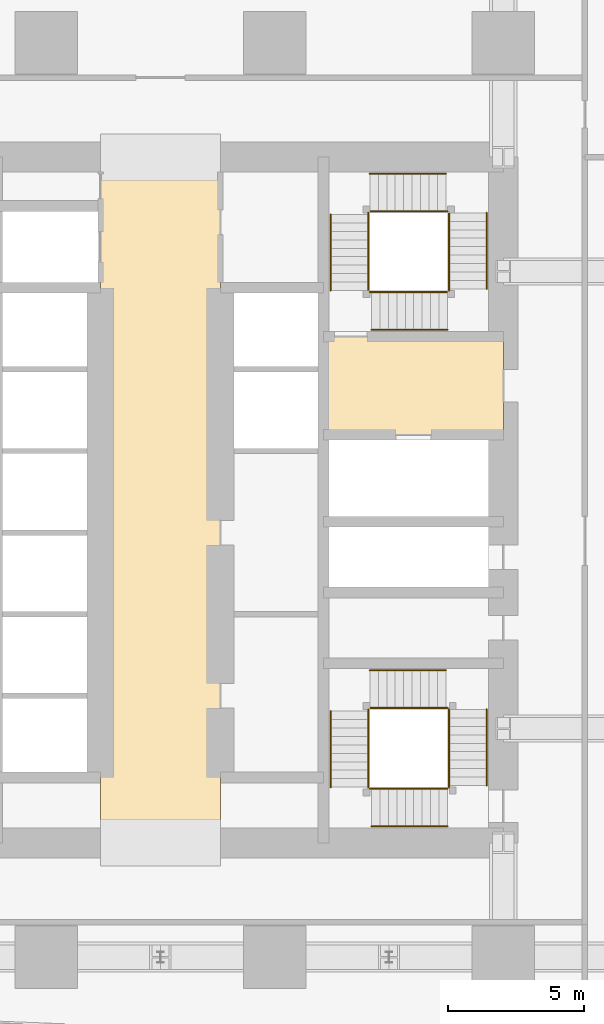
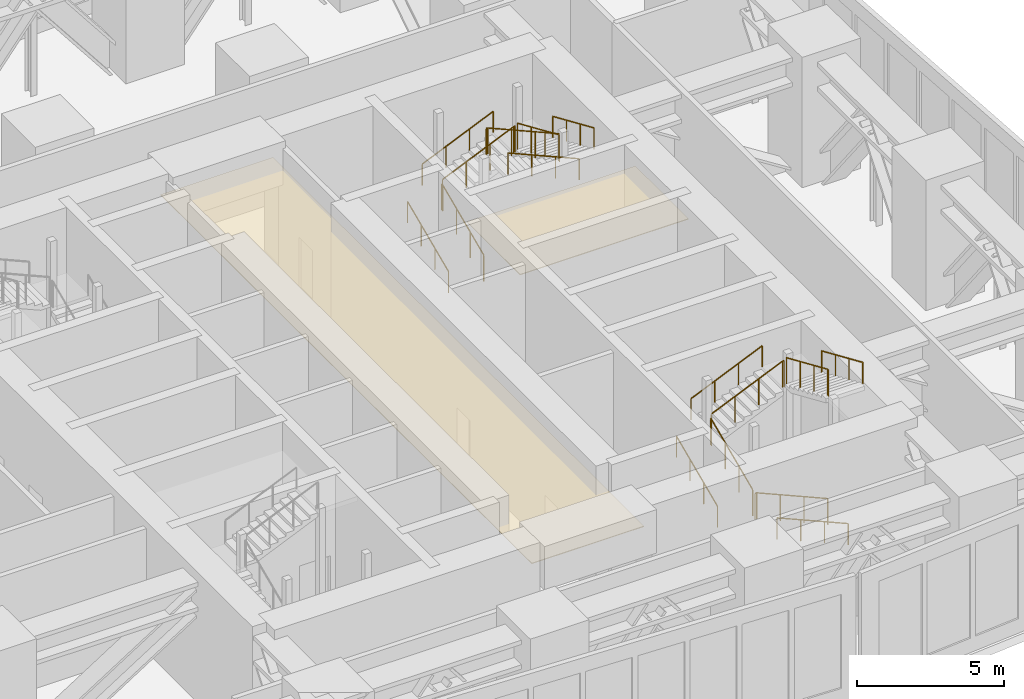
# One storey, part 16 of 16: 24 railings, 2 coverings.
"""IFC4 building model written with IfcOpenShell, lengths in metres."""

from ifc_helpers import new_model, si_unit, direction, frame, origin, origin_2d, place, context, subcontext, project, spatial, polyline, circle, outline, extrude, material, layer, layer_set, type_object, element, save


model = new_model("IFC4")

# Units and contexts
model_context = context("Model", 3, precision=1e-05, world=origin(), true_north=direction((0.0, 1.0)))
body_context = subcontext(model_context, "Body", "Model", "MODEL_VIEW")
ifc_project = project(units=[si_unit("LENGTHUNIT", "METRE"), si_unit("AREAUNIT", "SQUARE_METRE"), si_unit("VOLUMEUNIT", "CUBIC_METRE"), si_unit("PLANEANGLEUNIT", "RADIAN"), si_unit("MASSUNIT", "GRAM", prefix="KILO")], contexts=[model_context])

# Site, building, storey
site_placement = place(None, origin())
site = spatial("IfcSite", under=ifc_project, at=site_placement, CompositionType="ELEMENT")
building_placement = place(site_placement, origin())
building = spatial("IfcBuilding", under=site, at=building_placement, Name="Rekha Terrace Tower", CompositionType="ELEMENT")
storey_placement = place(building_placement, frame((0.0, 0.0, 240.199951171875)))
storey = spatial("IfcBuildingStorey", under=building, at=storey_placement, Name="L61", CompositionType="ELEMENT", Elevation=240.199951171875)

# Coverings
ifc_material_1 = material(Name="Powder-coated aluminium pan", Category="aluminium")
ifc_layer = layer(ifc_material_1, 0.030029296875)
ifc_layer_set = layer_set([ifc_layer], Name="Powder-coated aluminium pan")
covering_type = type_object("IfcCoveringType", Name="CL3 300x1200 metal pan ceiling", PredefinedType="CEILING", material=ifc_layer_set)
covering_1_placement = place(storey_placement, frame((0.0, 0.0, 4.170166015625)))
element("IfcCovering", 1, at=covering_1_placement, inside=storey, type_object=covering_type, Name="Ceiling L61-LOBBY", PredefinedType="CEILING", context=body_context, shape_type="SweptSolid", body=[
    extrude(outline(polyline([(40.0, 46.199951171875), (35.60009765625, 46.199951171875), (35.60009765625, 21.0), (40.0, 21.0), (40.0, 46.199951171875)])), origin(), (0.0, 0.0, 1.0), 0.02978515625),
])
covering_2_placement = place(storey_placement, frame((0.0, 0.0, 4.170166015625)))
element("IfcCovering", 2, at=covering_2_placement, inside=storey, type_object=covering_type, Name="Ceiling L61-FLB2", PredefinedType="CEILING", context=body_context, shape_type="SweptSolid", body=[
    extrude(outline(polyline([(50.39990234375, 39.60009765625), (43.800048828125, 39.60009765625), (43.800048828125, 36.0), (50.39990234375, 36.0), (50.39990234375, 39.60009765625)])), origin(), (0.0, 0.0, 1.0), 0.02978515625),
])

# Railings
ifc_material_2 = material(Name="Stainless steel balustrade", Category="steel")
railing_type_1 = type_object("IfcRailingType", Name="GR1 1100 stair guard", PredefinedType="GUARDRAIL", material=ifc_material_2)
railing_1_placement = place(storey_placement, frame((45.43994140625, 41.300048828125, 0.135009765625)))
element("IfcRailing", 3, at=railing_1_placement, inside=storey, type_object=railing_type_1, Name="Guard ST2 L61 flight 1", PredefinedType="GUARDRAIL", context=body_context, shape_type="SweptSolid", body=[
    extrude(circle(Radius=0.02392578125, at=origin_2d()), frame((0.0, 0.0, 1.076171875), z_axis=(0.0, 0.916826272601, 0.399286345707), x_axis=(-1.0, 0.0, 0.0)), (0.0, 0.0, 1.0), 3.043212890625),
    extrude(circle(Radius=0.02099609375, at=origin_2d()), origin(), (0.0, 0.0, 1.0), 1.052001953125),
    extrude(circle(Radius=0.02099609375, at=origin_2d()), frame((0.0, 0.929931640625, 0.405029296875)), (0.0, 0.0, 1.0), 1.052001953125),
    extrude(circle(Radius=0.02099609375, at=origin_2d()), frame((0.0, 1.860107421875, 0.81005859375)), (0.0, 0.0, 1.0), 1.052001953125),
    extrude(circle(Radius=0.02099609375, at=origin_2d()), frame((0.0, 2.7900390625, 1.215087890625)), (0.0, 0.0, 1.0), 1.052001953125),
])
railing_2_placement = place(storey_placement, frame((45.5, 44.2099609375, 1.485107421875)))
element("IfcRailing", 4, at=railing_2_placement, inside=storey, type_object=railing_type_1, Name="Guard ST2 L61 flight 2", PredefinedType="GUARDRAIL", context=body_context, shape_type="SweptSolid", body=[
    extrude(circle(Radius=0.02392578125, at=origin_2d()), frame((0.0, 0.0, 1.076171875), z_axis=(0.916855640006, 0.0, 0.399218906604), x_axis=(0.0, 1.0, 0.0)), (0.0, 0.0, 1.0), 3.04296875),
    extrude(circle(Radius=0.02099609375, at=origin_2d()), origin(), (0.0, 0.0, 1.0), 1.052001953125),
    extrude(circle(Radius=0.02099609375, at=origin_2d()), frame((0.929931640625, 0.0, 0.405029296875)), (0.0, 0.0, 1.0), 1.052001953125),
    extrude(circle(Radius=0.02099609375, at=origin_2d()), frame((1.860107421875, 0.0, 0.809814453125)), (0.0, 0.0, 1.0), 1.052001953125),
    extrude(circle(Radius=0.02099609375, at=origin_2d()), frame((2.7900390625, 0.0, 1.21484375)), (0.0, 0.0, 1.0), 1.052001953125),
])
railing_3_placement = place(storey_placement, frame((48.409912109375, 44.14990234375, 2.8349609375)))
element("IfcRailing", 5, at=railing_3_placement, inside=storey, type_object=railing_type_1, Name="Guard ST2 L61 flight 3", PredefinedType="GUARDRAIL", context=body_context, shape_type="SweptSolid", body=[
    extrude(circle(Radius=0.02392578125, at=origin_2d()), frame((0.0, 0.0, 1.076171875), z_axis=(0.0, -0.916813480743, 0.399315716606), x_axis=(1.0, 0.0, 0.0)), (0.0, 0.0, 1.0), 3.04296875),
    extrude(circle(Radius=0.02099609375, at=origin_2d()), origin(), (0.0, 0.0, 1.0), 1.052001953125),
    extrude(circle(Radius=0.02099609375, at=origin_2d()), frame((0.0, -0.929931640625, 0.405029296875)), (0.0, 0.0, 1.0), 1.052001953125),
    extrude(circle(Radius=0.02099609375, at=origin_2d()), frame((0.0, -1.85986328125, 0.81005859375)), (0.0, 0.0, 1.0), 1.052001953125),
    extrude(circle(Radius=0.02099609375, at=origin_2d()), frame((0.0, -2.789794921875, 1.215087890625)), (0.0, 0.0, 1.0), 1.052001953125),
])
railing_4_placement = place(storey_placement, frame((48.35009765625, 41.239990234375, 4.18505859375)))
element("IfcRailing", 6, at=railing_4_placement, inside=storey, type_object=railing_type_1, Name="Guard ST2 L61 flight 4", PredefinedType="GUARDRAIL", context=body_context, shape_type="SweptSolid", body=[
    extrude(circle(Radius=0.02392578125, at=origin_2d()), frame((0.0, 0.0, 1.076171875), z_axis=(-0.916826272601, 0.0, 0.399286345707), x_axis=(0.0, -1.0, 0.0)), (0.0, 0.0, 1.0), 3.043212890625),
    extrude(circle(Radius=0.02099609375, at=origin_2d()), origin(), (0.0, 0.0, 1.0), 1.052001953125),
    extrude(circle(Radius=0.02099609375, at=origin_2d()), frame((-0.929931640625, 0.0, 0.405029296875)), (0.0, 0.0, 1.0), 1.052001953125),
    extrude(circle(Radius=0.02099609375, at=origin_2d()), frame((-1.860107421875, 0.0, 0.81005859375)), (0.0, 0.0, 1.0), 1.052001953125),
    extrude(circle(Radius=0.02099609375, at=origin_2d()), frame((-2.7900390625, 0.0, 1.215087890625)), (0.0, 0.0, 1.0), 1.052001953125),
])
railing_5_placement = place(storey_placement, frame((45.43994140625, 44.090087890625, 1.35009765625)))
element("IfcRailing", 7, at=railing_5_placement, inside=storey, type_object=railing_type_1, Name="Guard ST2 L61 landing 1", PredefinedType="GUARDRAIL", context=body_context, shape_type="SweptSolid", body=[
    extrude(circle(Radius=0.02392578125, at=origin_2d()), frame((0.0, 0.0, 1.076171875), z_axis=(0.0, 1.0, 0.0), x_axis=(-1.0, 0.0, 0.0)), (0.0, 0.0, 1.0), 0.059814453125),
    extrude(circle(Radius=0.02099609375, at=origin_2d()), origin(), (0.0, 0.0, 1.0), 1.052001953125),
    extrude(circle(Radius=0.02099609375, at=origin_2d()), frame((0.0, 0.059814453125, 0.0)), (0.0, 0.0, 1.0), 1.052001953125),
])
railing_6_placement = place(storey_placement, frame((48.2900390625, 44.2099609375, 2.699951171875)))
element("IfcRailing", 8, at=railing_6_placement, inside=storey, type_object=railing_type_1, Name="Guard ST2 L61 landing 2", PredefinedType="GUARDRAIL", context=body_context, shape_type="SweptSolid", body=[
    extrude(circle(Radius=0.02392578125, at=origin_2d()), frame((0.0, 0.0, 1.076171875), z_axis=(1.0, 0.0, 0.0), x_axis=(0.0, 1.0, 0.0)), (0.0, 0.0, 1.0), 0.06005859375),
    extrude(circle(Radius=0.02099609375, at=origin_2d()), origin(), (0.0, 0.0, 1.0), 1.052001953125),
    extrude(circle(Radius=0.02099609375, at=origin_2d()), frame((0.06005859375, 0.0, 0.0)), (0.0, 0.0, 1.0), 1.052001953125),
])
railing_7_placement = place(storey_placement, frame((48.409912109375, 41.300048828125, 4.050048828125)))
element("IfcRailing", 9, at=railing_7_placement, inside=storey, type_object=railing_type_1, Name="Guard ST2 L61 landing 3", PredefinedType="GUARDRAIL", context=body_context, shape_type="SweptSolid", body=[
    extrude(circle(Radius=0.02392578125, at=origin_2d()), frame((0.0, 0.0, 1.076171875), z_axis=(0.0, 1.0, 0.0), x_axis=(-1.0, 0.0, 0.0)), (0.0, 0.0, 1.0), 0.06005859375),
    extrude(circle(Radius=0.02099609375, at=origin_2d()), origin(), (0.0, 0.0, 1.0), 1.052001953125),
    extrude(circle(Radius=0.02099609375, at=origin_2d()), frame((0.0, 0.06005859375, 0.0)), (0.0, 0.0, 1.0), 1.052001953125),
])
railing_8_placement = place(storey_placement, frame((45.5, 41.239990234375, 5.400146484375)))
element("IfcRailing", 10, at=railing_8_placement, inside=storey, type_object=railing_type_1, Name="Guard ST2 L61 landing 4", PredefinedType="GUARDRAIL", context=body_context, shape_type="SweptSolid", body=[
    extrude(circle(Radius=0.02392578125, at=origin_2d()), frame((0.0, 0.0, 1.076171875), z_axis=(1.0, 0.0, 0.0), x_axis=(0.0, 1.0, 0.0)), (0.0, 0.0, 1.0), 0.06005859375),
    extrude(circle(Radius=0.02099609375, at=origin_2d()), origin(), (0.0, 0.0, 1.0), 1.052001953125),
    extrude(circle(Radius=0.02099609375, at=origin_2d()), frame((0.06005859375, 0.0, 0.0)), (0.0, 0.0, 1.0), 1.052001953125),
])
railing_9_placement = place(storey_placement, frame((48.35009765625, 22.989990234375, 0.135009765625)))
element("IfcRailing", 11, at=railing_9_placement, inside=storey, type_object=railing_type_1, Name="Guard ST3 L61 flight 1", PredefinedType="GUARDRAIL", context=body_context, shape_type="SweptSolid", body=[
    extrude(circle(Radius=0.02392578125, at=origin_2d()), frame((0.0, 0.0, 1.076171875), z_axis=(-0.916826272601, 0.0, 0.399286345707), x_axis=(0.0, -1.0, 0.0)), (0.0, 0.0, 1.0), 3.043212890625),
    extrude(circle(Radius=0.02099609375, at=origin_2d()), origin(), (0.0, 0.0, 1.0), 1.052001953125),
    extrude(circle(Radius=0.02099609375, at=origin_2d()), frame((-0.929931640625, 0.0, 0.405029296875)), (0.0, 0.0, 1.0), 1.052001953125),
    extrude(circle(Radius=0.02099609375, at=origin_2d()), frame((-1.860107421875, 0.0, 0.81005859375)), (0.0, 0.0, 1.0), 1.052001953125),
    extrude(circle(Radius=0.02099609375, at=origin_2d()), frame((-2.7900390625, 0.0, 1.215087890625)), (0.0, 0.0, 1.0), 1.052001953125),
])
railing_10_placement = place(storey_placement, frame((45.43994140625, 23.050048828125, 1.485107421875)))
element("IfcRailing", 12, at=railing_10_placement, inside=storey, type_object=railing_type_1, Name="Guard ST3 L61 flight 2", PredefinedType="GUARDRAIL", context=body_context, shape_type="SweptSolid", body=[
    extrude(circle(Radius=0.02392578125, at=origin_2d()), frame((0.0, 0.0, 1.076171875), z_axis=(0.0, 0.916855640006, 0.399218906604), x_axis=(-1.0, 0.0, 0.0)), (0.0, 0.0, 1.0), 3.04296875),
    extrude(circle(Radius=0.02099609375, at=origin_2d()), origin(), (0.0, 0.0, 1.0), 1.052001953125),
    extrude(circle(Radius=0.02099609375, at=origin_2d()), frame((0.0, 0.929931640625, 0.405029296875)), (0.0, 0.0, 1.0), 1.052001953125),
    extrude(circle(Radius=0.02099609375, at=origin_2d()), frame((0.0, 1.860107421875, 0.809814453125)), (0.0, 0.0, 1.0), 1.052001953125),
    extrude(circle(Radius=0.02099609375, at=origin_2d()), frame((0.0, 2.7900390625, 1.21484375)), (0.0, 0.0, 1.0), 1.052001953125),
])
railing_11_placement = place(storey_placement, frame((45.5, 25.9599609375, 2.8349609375)))
element("IfcRailing", 13, at=railing_11_placement, inside=storey, type_object=railing_type_1, Name="Guard ST3 L61 flight 3", PredefinedType="GUARDRAIL", context=body_context, shape_type="SweptSolid", body=[
    extrude(circle(Radius=0.02392578125, at=origin_2d()), frame((0.0, 0.0, 1.076171875), z_axis=(0.916826272601, 0.0, 0.399286345707), x_axis=(0.0, 1.0, 0.0)), (0.0, 0.0, 1.0), 3.043212890625),
    extrude(circle(Radius=0.02099609375, at=origin_2d()), origin(), (0.0, 0.0, 1.0), 1.052001953125),
    extrude(circle(Radius=0.02099609375, at=origin_2d()), frame((0.929931640625, 0.0, 0.405029296875)), (0.0, 0.0, 1.0), 1.052001953125),
    extrude(circle(Radius=0.02099609375, at=origin_2d()), frame((1.860107421875, 0.0, 0.81005859375)), (0.0, 0.0, 1.0), 1.052001953125),
    extrude(circle(Radius=0.02099609375, at=origin_2d()), frame((2.7900390625, 0.0, 1.215087890625)), (0.0, 0.0, 1.0), 1.052001953125),
])
railing_12_placement = place(storey_placement, frame((48.409912109375, 25.89990234375, 4.18505859375)))
element("IfcRailing", 14, at=railing_12_placement, inside=storey, type_object=railing_type_1, Name="Guard ST3 L61 flight 4", PredefinedType="GUARDRAIL", context=body_context, shape_type="SweptSolid", body=[
    extrude(circle(Radius=0.02392578125, at=origin_2d()), frame((0.0, 0.0, 1.076171875), z_axis=(0.0, -0.916813480743, 0.399315716606), x_axis=(1.0, 0.0, 0.0)), (0.0, 0.0, 1.0), 3.04296875),
    extrude(circle(Radius=0.02099609375, at=origin_2d()), origin(), (0.0, 0.0, 1.0), 1.052001953125),
    extrude(circle(Radius=0.02099609375, at=origin_2d()), frame((0.0, -0.929931640625, 0.405029296875)), (0.0, 0.0, 1.0), 1.052001953125),
    extrude(circle(Radius=0.02099609375, at=origin_2d()), frame((0.0, -1.85986328125, 0.81005859375)), (0.0, 0.0, 1.0), 1.052001953125),
    extrude(circle(Radius=0.02099609375, at=origin_2d()), frame((0.0, -2.789794921875, 1.215087890625)), (0.0, 0.0, 1.0), 1.052001953125),
])
railing_13_placement = place(storey_placement, frame((45.56005859375, 22.989990234375, 1.35009765625)))
element("IfcRailing", 15, at=railing_13_placement, inside=storey, type_object=railing_type_1, Name="Guard ST3 L61 landing 1", PredefinedType="GUARDRAIL", context=body_context, shape_type="SweptSolid", body=[
    extrude(circle(Radius=0.02392578125, at=origin_2d()), frame((0.0, 0.0, 1.076171875), z_axis=(-1.0, 0.0, 0.0), x_axis=(0.0, -1.0, 0.0)), (0.0, 0.0, 1.0), 0.06005859375),
    extrude(circle(Radius=0.02099609375, at=origin_2d()), origin(), (0.0, 0.0, 1.0), 1.052001953125),
    extrude(circle(Radius=0.02099609375, at=origin_2d()), frame((-0.06005859375, 0.0, 0.0)), (0.0, 0.0, 1.0), 1.052001953125),
])
railing_14_placement = place(storey_placement, frame((45.43994140625, 25.840087890625, 2.699951171875)))
element("IfcRailing", 16, at=railing_14_placement, inside=storey, type_object=railing_type_1, Name="Guard ST3 L61 landing 2", PredefinedType="GUARDRAIL", context=body_context, shape_type="SweptSolid", body=[
    extrude(circle(Radius=0.02392578125, at=origin_2d()), frame((0.0, 0.0, 1.076171875), z_axis=(0.0, 1.0, 0.0), x_axis=(-1.0, 0.0, 0.0)), (0.0, 0.0, 1.0), 0.059814453125),
    extrude(circle(Radius=0.02099609375, at=origin_2d()), origin(), (0.0, 0.0, 1.0), 1.052001953125),
    extrude(circle(Radius=0.02099609375, at=origin_2d()), frame((0.0, 0.059814453125, 0.0)), (0.0, 0.0, 1.0), 1.052001953125),
])
railing_15_placement = place(storey_placement, frame((48.35009765625, 25.9599609375, 4.050048828125)))
element("IfcRailing", 17, at=railing_15_placement, inside=storey, type_object=railing_type_1, Name="Guard ST3 L61 landing 3", PredefinedType="GUARDRAIL", context=body_context, shape_type="SweptSolid", body=[
    extrude(circle(Radius=0.02392578125, at=origin_2d()), frame((0.0, 0.0, 1.076171875), z_axis=(-1.0, 0.0, 0.0), x_axis=(0.0, -1.0, 0.0)), (0.0, 0.0, 1.0), 0.06005859375),
    extrude(circle(Radius=0.02099609375, at=origin_2d()), origin(), (0.0, 0.0, 1.0), 1.052001953125),
    extrude(circle(Radius=0.02099609375, at=origin_2d()), frame((-0.06005859375, 0.0, 0.0)), (0.0, 0.0, 1.0), 1.052001953125),
])
railing_16_placement = place(storey_placement, frame((48.409912109375, 23.050048828125, 5.400146484375)))
element("IfcRailing", 18, at=railing_16_placement, inside=storey, type_object=railing_type_1, Name="Guard ST3 L61 landing 4", PredefinedType="GUARDRAIL", context=body_context, shape_type="SweptSolid", body=[
    extrude(circle(Radius=0.02392578125, at=origin_2d()), frame((0.0, 0.0, 1.076171875), z_axis=(0.0, 1.0, 0.0), x_axis=(-1.0, 0.0, 0.0)), (0.0, 0.0, 1.0), 0.06005859375),
    extrude(circle(Radius=0.02099609375, at=origin_2d()), origin(), (0.0, 0.0, 1.0), 1.052001953125),
    extrude(circle(Radius=0.02099609375, at=origin_2d()), frame((0.0, 0.06005859375, 0.0)), (0.0, 0.0, 1.0), 1.052001953125),
])
ifc_material_3 = material(Name="Stainless steel tube", Category="steel")
railing_type_2 = type_object("IfcRailingType", Name="HR1 900 stair handrail", PredefinedType="HANDRAIL", material=ifc_material_3)
railing_17_placement = place(storey_placement, frame((44.06005859375, 41.300048828125, 0.135009765625)))
element("IfcRailing", 19, at=railing_17_placement, inside=storey, type_object=railing_type_2, Name="Handrail ST2 L61 flight 1", PredefinedType="HANDRAIL", context=body_context, shape_type="SweptSolid", body=[
    extrude(circle(Radius=0.02392578125, at=origin_2d()), frame((0.0, 0.0, 0.8759765625), z_axis=(0.0, 0.916826272601, 0.399286345707), x_axis=(-1.0, 0.0, 0.0)), (0.0, 0.0, 1.0), 3.043212890625),
    extrude(circle(Radius=0.02099609375, at=origin_2d()), origin(), (0.0, 0.0, 1.0), 0.851806640625),
    extrude(circle(Radius=0.02099609375, at=origin_2d()), frame((0.0, 0.929931640625, 0.405029296875)), (0.0, 0.0, 1.0), 0.851806640625),
    extrude(circle(Radius=0.02099609375, at=origin_2d()), frame((0.0, 1.860107421875, 0.81005859375)), (0.0, 0.0, 1.0), 0.851806640625),
    extrude(circle(Radius=0.02099609375, at=origin_2d()), frame((0.0, 2.7900390625, 1.215087890625)), (0.0, 0.0, 1.0), 0.851806640625),
])
railing_18_placement = place(storey_placement, frame((45.5, 45.590087890625, 1.485107421875)))
element("IfcRailing", 20, at=railing_18_placement, inside=storey, type_object=railing_type_2, Name="Handrail ST2 L61 flight 2", PredefinedType="HANDRAIL", context=body_context, shape_type="SweptSolid", body=[
    extrude(circle(Radius=0.02392578125, at=origin_2d()), frame((0.0, 0.0, 0.8759765625), z_axis=(0.916855640006, 0.0, 0.399218906604), x_axis=(0.0, 1.0, 0.0)), (0.0, 0.0, 1.0), 3.04296875),
    extrude(circle(Radius=0.02099609375, at=origin_2d()), origin(), (0.0, 0.0, 1.0), 0.851806640625),
    extrude(circle(Radius=0.02099609375, at=origin_2d()), frame((0.929931640625, 0.0, 0.405029296875)), (0.0, 0.0, 1.0), 0.851806640625),
    extrude(circle(Radius=0.02099609375, at=origin_2d()), frame((1.860107421875, 0.0, 0.809814453125)), (0.0, 0.0, 1.0), 0.851806640625),
    extrude(circle(Radius=0.02099609375, at=origin_2d()), frame((2.7900390625, 0.0, 1.21484375)), (0.0, 0.0, 1.0), 0.851806640625),
])
railing_19_placement = place(storey_placement, frame((49.7900390625, 44.14990234375, 2.8349609375)))
element("IfcRailing", 21, at=railing_19_placement, inside=storey, type_object=railing_type_2, Name="Handrail ST2 L61 flight 3", PredefinedType="HANDRAIL", context=body_context, shape_type="SweptSolid", body=[
    extrude(circle(Radius=0.02392578125, at=origin_2d()), frame((0.0, 0.0, 0.8759765625), z_axis=(0.0, -0.916813480743, 0.399315716606), x_axis=(1.0, 0.0, 0.0)), (0.0, 0.0, 1.0), 3.04296875),
    extrude(circle(Radius=0.02099609375, at=origin_2d()), origin(), (0.0, 0.0, 1.0), 0.851806640625),
    extrude(circle(Radius=0.02099609375, at=origin_2d()), frame((0.0, -0.929931640625, 0.405029296875)), (0.0, 0.0, 1.0), 0.851806640625),
    extrude(circle(Radius=0.02099609375, at=origin_2d()), frame((0.0, -1.85986328125, 0.81005859375)), (0.0, 0.0, 1.0), 0.851806640625),
    extrude(circle(Radius=0.02099609375, at=origin_2d()), frame((0.0, -2.789794921875, 1.215087890625)), (0.0, 0.0, 1.0), 0.851806640625),
])
for number, where, name in (
    (22, (48.35009765625, 39.860107421875, 4.18505859375), "Handrail ST2 L61 flight 4"),
    (23, (48.35009765625, 21.610107421875, 0.135009765625), "Handrail ST3 L61 flight 1"),
):
    element("IfcRailing", number, at=place(storey_placement, frame(where)), inside=storey, type_object=railing_type_2, Name=name, PredefinedType="HANDRAIL", context=body_context, shape_type="SweptSolid", body=[
        extrude(circle(Radius=0.02392578125, at=origin_2d()), frame((0.0, 0.0, 0.8759765625), z_axis=(-0.916826272601, 0.0, 0.399286345707), x_axis=(0.0, -1.0, 0.0)), (0.0, 0.0, 1.0), 3.043212890625),
        extrude(circle(Radius=0.02099609375, at=origin_2d()), origin(), (0.0, 0.0, 1.0), 0.851806640625),
        extrude(circle(Radius=0.02099609375, at=origin_2d()), frame((-0.929931640625, 0.0, 0.405029296875)), (0.0, 0.0, 1.0), 0.851806640625),
        extrude(circle(Radius=0.02099609375, at=origin_2d()), frame((-1.860107421875, 0.0, 0.81005859375)), (0.0, 0.0, 1.0), 0.851806640625),
        extrude(circle(Radius=0.02099609375, at=origin_2d()), frame((-2.7900390625, 0.0, 1.215087890625)), (0.0, 0.0, 1.0), 0.851806640625),
    ])
railing_20_placement = place(storey_placement, frame((44.06005859375, 23.050048828125, 1.485107421875)))
element("IfcRailing", 24, at=railing_20_placement, inside=storey, type_object=railing_type_2, Name="Handrail ST3 L61 flight 2", PredefinedType="HANDRAIL", context=body_context, shape_type="SweptSolid", body=[
    extrude(circle(Radius=0.02392578125, at=origin_2d()), frame((0.0, 0.0, 0.8759765625), z_axis=(0.0, 0.916855640006, 0.399218906604), x_axis=(-1.0, 0.0, 0.0)), (0.0, 0.0, 1.0), 3.04296875),
    extrude(circle(Radius=0.02099609375, at=origin_2d()), origin(), (0.0, 0.0, 1.0), 0.851806640625),
    extrude(circle(Radius=0.02099609375, at=origin_2d()), frame((0.0, 0.929931640625, 0.405029296875)), (0.0, 0.0, 1.0), 0.851806640625),
    extrude(circle(Radius=0.02099609375, at=origin_2d()), frame((0.0, 1.860107421875, 0.809814453125)), (0.0, 0.0, 1.0), 0.851806640625),
    extrude(circle(Radius=0.02099609375, at=origin_2d()), frame((0.0, 2.7900390625, 1.21484375)), (0.0, 0.0, 1.0), 0.851806640625),
])
railing_21_placement = place(storey_placement, frame((45.5, 27.340087890625, 2.8349609375)))
element("IfcRailing", 25, at=railing_21_placement, inside=storey, type_object=railing_type_2, Name="Handrail ST3 L61 flight 3", PredefinedType="HANDRAIL", context=body_context, shape_type="SweptSolid", body=[
    extrude(circle(Radius=0.02392578125, at=origin_2d()), frame((0.0, 0.0, 0.8759765625), z_axis=(0.916826272601, 0.0, 0.399286345707), x_axis=(0.0, 1.0, 0.0)), (0.0, 0.0, 1.0), 3.043212890625),
    extrude(circle(Radius=0.02099609375, at=origin_2d()), origin(), (0.0, 0.0, 1.0), 0.851806640625),
    extrude(circle(Radius=0.02099609375, at=origin_2d()), frame((0.929931640625, 0.0, 0.405029296875)), (0.0, 0.0, 1.0), 0.851806640625),
    extrude(circle(Radius=0.02099609375, at=origin_2d()), frame((1.860107421875, 0.0, 0.81005859375)), (0.0, 0.0, 1.0), 0.851806640625),
    extrude(circle(Radius=0.02099609375, at=origin_2d()), frame((2.7900390625, 0.0, 1.215087890625)), (0.0, 0.0, 1.0), 0.851806640625),
])
railing_22_placement = place(storey_placement, frame((49.7900390625, 25.89990234375, 4.18505859375)))
element("IfcRailing", 26, at=railing_22_placement, inside=storey, type_object=railing_type_2, Name="Handrail ST3 L61 flight 4", PredefinedType="HANDRAIL", context=body_context, shape_type="SweptSolid", body=[
    extrude(circle(Radius=0.02392578125, at=origin_2d()), frame((0.0, 0.0, 0.8759765625), z_axis=(0.0, -0.916813480743, 0.399315716606), x_axis=(1.0, 0.0, 0.0)), (0.0, 0.0, 1.0), 3.04296875),
    extrude(circle(Radius=0.02099609375, at=origin_2d()), origin(), (0.0, 0.0, 1.0), 0.851806640625),
    extrude(circle(Radius=0.02099609375, at=origin_2d()), frame((0.0, -0.929931640625, 0.405029296875)), (0.0, 0.0, 1.0), 0.851806640625),
    extrude(circle(Radius=0.02099609375, at=origin_2d()), frame((0.0, -1.85986328125, 0.81005859375)), (0.0, 0.0, 1.0), 0.851806640625),
    extrude(circle(Radius=0.02099609375, at=origin_2d()), frame((0.0, -2.789794921875, 1.215087890625)), (0.0, 0.0, 1.0), 0.851806640625),
])

save(model, "model.ifc")
